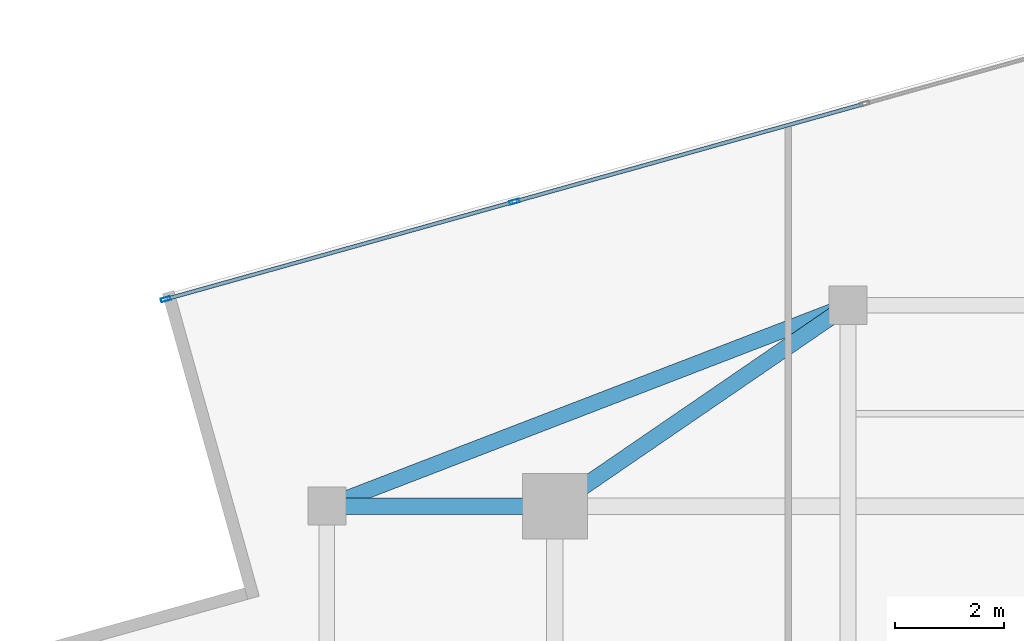
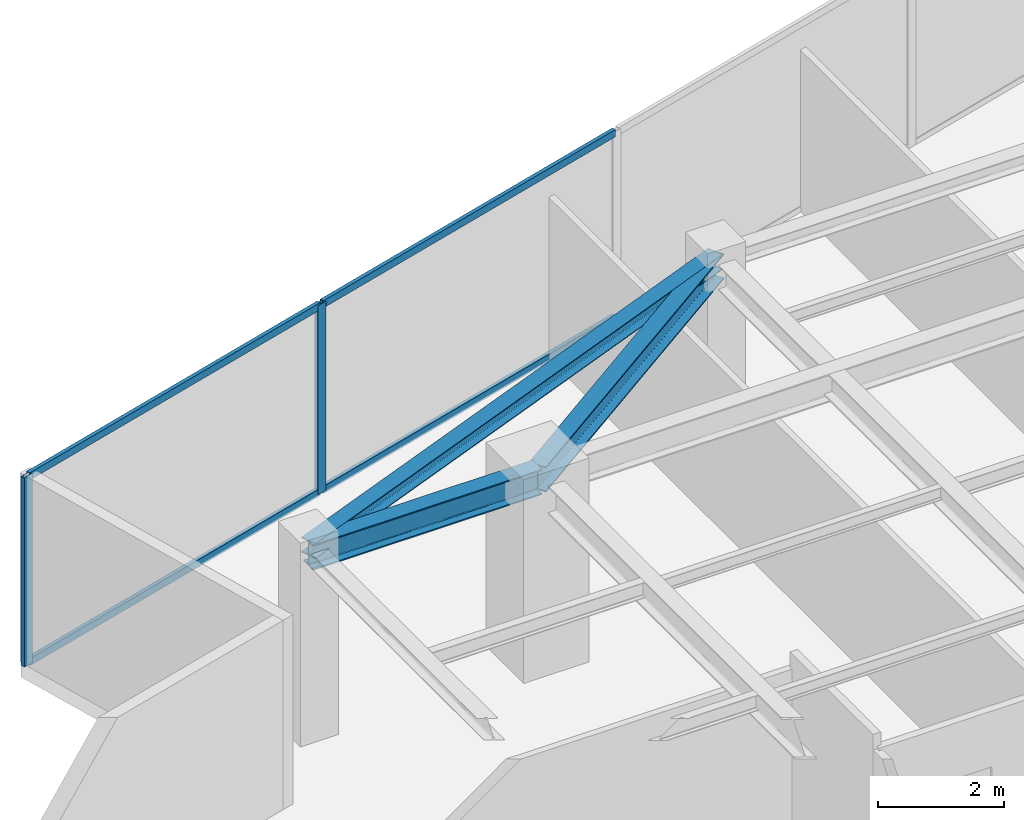
# One storey, part 12 of 20: 6 members, 3 beams, 1 element without a shape of its own.
"""IFC4 building model written with IfcOpenShell, lengths in metres."""

from ifc_helpers import new_model, si_unit, direction, frame, origin, origin_2d, place, context, subcontext, project, spatial, hollow_rectangle, i_section, extrude, source, transform, mapped, material, material_profile, profile_set, type_object, type_shapes, element, aggregate, save


model = new_model("IFC4")

# Units and contexts
model_context = context("Model", 3, precision=1e-05, world=origin(), true_north=direction((0.0, 1.0)))
body_context = subcontext(model_context, "Body", "Model", "MODEL_VIEW")
ifc_project = project(units=[si_unit("LENGTHUNIT", "METRE"), si_unit("AREAUNIT", "SQUARE_METRE"), si_unit("VOLUMEUNIT", "CUBIC_METRE"), si_unit("PLANEANGLEUNIT", "RADIAN"), si_unit("MASSUNIT", "GRAM", prefix="KILO")], contexts=[model_context])

# Site, building, storey
site_placement = place(None, origin())
site = spatial("IfcSite", under=ifc_project, at=site_placement, CompositionType="ELEMENT")
building_placement = place(site_placement, origin())
building = spatial("IfcBuilding", under=site, at=building_placement, Name="Krantzveldt Concourse Tower", CompositionType="ELEMENT")
storey_placement = place(building_placement, frame((0.0, 0.0, 351.39990234375)))
storey = spatial("IfcBuildingStorey", under=building, at=storey_placement, Name="L86", CompositionType="ELEMENT", Elevation=351.39990234375)

# Beams
ifc_material_1 = material(Name="Steel S355JR", Category="steel")
ifc_material_profile_1 = material_profile(ifc_material_1, i_section(OverallWidth=0.300048828125, OverallDepth=0.489990234375, WebThickness=0.011962890625, FlangeThickness=0.02294921875, FilletRadius=0.027099609375, at=origin_2d()), Name="Steel S355JR", Category="steel")
ifc_profile_set_1 = profile_set([ifc_material_profile_1], Name="Steel S355JR - HEA 500")
beam_type_1 = type_object("IfcBeamType", Name="BM-B-HEA500", PredefinedType="BEAM", material=ifc_profile_set_1)
shared_shape_1 = source(origin(), body_context, "Body", "SweptSolid", [
    extrude(i_section(OverallWidth=0.300048828125, OverallDepth=0.489990234375, WebThickness=0.011962890625, FlangeThickness=0.02294921875, FilletRadius=0.027099609375, at=origin_2d()), origin(), (0.0, 0.0, 1.0), 4.199951171875),
])
beam_1_placement = place(storey_placement, frame((21.0, 37.5, 3.425048828125), z_axis=(1.0, 0.0, 0.0), x_axis=(0.0, 1.0, 0.0)))
element("IfcBeam", 1, at=beam_1_placement, inside=storey, type_object=beam_type_1, Name="L86 Tower Girder BR-RL3", PredefinedType="BEAM", context=body_context, shape_type="MappedRepresentation", body=[
    mapped(shared_shape_1, transform((0.0, 0.0, 0.0), x_axis=(1.0, 0.0, 0.0), y_axis=(0.0, 1.0, 0.0), z_axis=(0.0, 0.0, 1.0), scale=1.0)),
])
shared_shape_2 = source(origin(), body_context, "Body", "SweptSolid", [
    extrude(i_section(OverallWidth=0.300048828125, OverallDepth=0.489990234375, WebThickness=0.011962890625, FlangeThickness=0.02294921875, FilletRadius=0.027099609375, at=origin_2d()), origin(), (0.0, 0.0, 1.0), 6.546142578125),
])
type_shapes(beam_type_1, [shared_shape_1, shared_shape_2])
beam_2_placement = place(storey_placement, frame((25.199951171875, 37.5, 3.425048828125), z_axis=(0.824942999484, 0.565215930068, 0.0), x_axis=(-0.565215930068, 0.824942999484, 0.0)))
element("IfcBeam", 2, at=beam_2_placement, inside=storey, type_object=beam_type_1, Name="L86 Tower Girder BR-RL4", PredefinedType="BEAM", context=body_context, shape_type="MappedRepresentation", body=[
    mapped(shared_shape_2, transform((0.0, 0.0, 0.0), x_axis=(1.0, 0.0, 0.0), y_axis=(0.0, 1.0, 0.0), z_axis=(0.0, 0.0, 1.0), scale=1.0)),
])
ifc_material_profile_2 = material_profile(ifc_material_1, i_section(OverallWidth=0.2900390625, OverallDepth=0.2900390625, WebThickness=0.008544921875, FlangeThickness=0.013916015625, FilletRadius=0.027099609375, at=origin_2d()), Name="Steel S355JR", Category="steel")
ifc_profile_set_2 = profile_set([ifc_material_profile_2], Name="Steel S355JR - HEA 300")
beam_type_2 = type_object("IfcBeamType", Name="BM-SP-HEA300", PredefinedType="SPANDREL", material=ifc_profile_set_2)
shared_shape_3 = source(origin(), body_context, "Body", "SweptSolid", [
    extrude(i_section(OverallWidth=0.2900390625, OverallDepth=0.2900390625, WebThickness=0.008544921875, FlangeThickness=0.013916015625, FilletRadius=0.027099609375, at=origin_2d()), origin(), (0.0, 0.0, 1.0), 10.288330078125),
])
type_shapes(beam_type_2, [shared_shape_3])
beam_3_placement = place(storey_placement, frame((21.0, 37.5, 3.525146484375), z_axis=(0.933097690408, 0.359622997257, 0.0), x_axis=(-0.359622997257, 0.933097690408, 0.0)))
element("IfcBeam", 3, at=beam_3_placement, inside=storey, type_object=beam_type_2, Name="L86 Tower Girder SP-R03", PredefinedType="SPANDREL", context=body_context, shape_type="MappedRepresentation", body=[
    mapped(shared_shape_3, transform((0.0, 0.0, 0.0), x_axis=(1.0, 0.0, 0.0), y_axis=(0.0, 1.0, 0.0), z_axis=(0.0, 0.0, 1.0), scale=1.0)),
])

# Curtain wall, members
ifc_material_2 = material(Name="Anodised aluminium 6063-T6", Category="aluminium")
curtain_wall_type = type_object("IfcCurtainWallType", Name="CW4", PredefinedType="USERDEFINED", material=ifc_material_2)
curtain_wall_placement = place(storey_placement, origin())
curtain_wall = element("IfcCurtainWall", 4, at=curtain_wall_placement, inside=storey, type_object=curtain_wall_type, Name="CW-L86-F01", ObjectType="UNITISED CURTAIN WALL", PredefinedType="USERDEFINED")
ifc_material_profile_3 = material_profile(ifc_material_2, hollow_rectangle(XDim=0.070068359375, YDim=0.179931640625, WallThickness=0.0048828125, at=origin_2d()), Name="Anodised aluminium 6063-T6", Category="aluminium")
ifc_profile_set_3 = profile_set([ifc_material_profile_3], Name="Anodised aluminium 6063-T6 - ALU-MULL 180x70x5")
member_type_1 = type_object("IfcMemberType", Name="CW-MUL-180", PredefinedType="MULLION", material=ifc_profile_set_3)
shared_shape_4 = source(origin(), body_context, "Body", "SweptSolid", [
    extrude(hollow_rectangle(XDim=0.070068359375, YDim=0.179931640625, WallThickness=0.0048828125, at=origin_2d()), origin(), (0.0, 0.0, 1.0), 3.670166015625),
])
type_shapes(member_type_1, [shared_shape_4])
member_1_placement = place(storey_placement, frame((24.454345703125, 43.106689453125, 0.0), z_axis=(0.0, 0.0, 1.0), x_axis=(0.269339931454, -0.963045170968, 0.0)))
member_1 = element("IfcMember", 5, at=member_1_placement, type_object=member_type_1, Name="CW-Z56 mullion 4", PredefinedType="MULLION", context=body_context, shape_type="MappedRepresentation", body=[
    mapped(shared_shape_4, transform((0.0, 0.0, 0.0), x_axis=(1.0, 0.0, 0.0), y_axis=(0.0, 1.0, 0.0), z_axis=(0.0, 0.0, 1.0), scale=1.0)),
])
member_2_placement = place(storey_placement, frame((18.03564453125, 41.3115234375, 0.0), z_axis=(0.0, 0.0, 1.0), x_axis=(0.269339931454, -0.963045170968, 0.0)))
member_2 = element("IfcMember", 6, at=member_2_placement, type_object=member_type_1, Name="CW-Z56 mullion 5", PredefinedType="MULLION", context=body_context, shape_type="MappedRepresentation", body=[
    mapped(shared_shape_4, transform((0.0, 0.0, 0.0), x_axis=(1.0, 0.0, 0.0), y_axis=(0.0, 1.0, 0.0), z_axis=(0.0, 0.0, 1.0), scale=1.0)),
])
ifc_material_profile_4 = material_profile(ifc_material_2, hollow_rectangle(XDim=0.070068359375, YDim=0.139892578125, WallThickness=0.0048828125, at=origin_2d()), Name="Anodised aluminium 6063-T6", Category="aluminium")
ifc_profile_set_4 = profile_set([ifc_material_profile_4], Name="Anodised aluminium 6063-T6 - ALU-TRAN 140x70x5")
member_type_2 = type_object("IfcMemberType", Name="CW-TRN-150", PredefinedType="USERDEFINED", material=ifc_profile_set_4)
shared_shape_5 = source(origin(), body_context, "Body", "SweptSolid", [
    extrude(hollow_rectangle(XDim=0.070068359375, YDim=0.139892578125, WallThickness=0.0048828125, at=origin_2d()), origin(), (0.0, 0.0, 1.0), 6.594970703125),
])
member_3_placement = place(storey_placement, frame((24.420654296875, 43.09716796875, 0.03515625), z_axis=(-0.963042794459, -0.269348428694, 0.0), x_axis=(0.269348428694, -0.963042794459, 0.0)))
member_3 = element("IfcMember", 7, at=member_3_placement, type_object=member_type_2, Name="CW-Z56 transom 4.1", ObjectType="TRANSOM", PredefinedType="USERDEFINED", context=body_context, shape_type="MappedRepresentation", body=[
    mapped(shared_shape_5, transform((0.0, 0.0, 0.0), x_axis=(1.0, 0.0, 0.0), y_axis=(0.0, 1.0, 0.0), z_axis=(0.0, 0.0, 1.0), scale=1.0)),
])
member_4_placement = place(storey_placement, frame((24.420654296875, 43.09716796875, 3.635009765625), z_axis=(-0.963042794459, -0.269348428694, 0.0), x_axis=(0.269348428694, -0.963042794459, 0.0)))
member_4 = element("IfcMember", 8, at=member_4_placement, type_object=member_type_2, Name="CW-Z56 transom 4.2", ObjectType="TRANSOM", PredefinedType="USERDEFINED", context=body_context, shape_type="MappedRepresentation", body=[
    mapped(shared_shape_5, transform((0.0, 0.0, 0.0), x_axis=(1.0, 0.0, 0.0), y_axis=(0.0, 1.0, 0.0), z_axis=(0.0, 0.0, 1.0), scale=1.0)),
])
shared_shape_6 = source(origin(), body_context, "Body", "SweptSolid", [
    extrude(hollow_rectangle(XDim=0.070068359375, YDim=0.139892578125, WallThickness=0.0048828125, at=origin_2d()), origin(), (0.0, 0.0, 1.0), 6.630126953125),
])
type_shapes(member_type_2, [shared_shape_5, shared_shape_6])
member_5_placement = place(storey_placement, frame((30.873046875, 44.90185546875, 0.03515625), z_axis=(-0.963038940254, -0.269362208846, 0.0), x_axis=(0.269362208846, -0.963038940254, 0.0)))
member_5 = element("IfcMember", 9, at=member_5_placement, type_object=member_type_2, Name="CW-Z56 transom 3.1", ObjectType="TRANSOM", PredefinedType="USERDEFINED", context=body_context, shape_type="MappedRepresentation", body=[
    mapped(shared_shape_6, transform((0.0, 0.0, 0.0), x_axis=(1.0, 0.0, 0.0), y_axis=(0.0, 1.0, 0.0), z_axis=(0.0, 0.0, 1.0), scale=1.0)),
])
member_6_placement = place(storey_placement, frame((30.873046875, 44.90185546875, 3.635009765625), z_axis=(-0.963038940254, -0.269362208846, 0.0), x_axis=(0.269362208846, -0.963038940254, 0.0)))
member_6 = element("IfcMember", 10, at=member_6_placement, type_object=member_type_2, Name="CW-Z56 transom 3.2", ObjectType="TRANSOM", PredefinedType="USERDEFINED", context=body_context, shape_type="MappedRepresentation", body=[
    mapped(shared_shape_6, transform((0.0, 0.0, 0.0), x_axis=(1.0, 0.0, 0.0), y_axis=(0.0, 1.0, 0.0), z_axis=(0.0, 0.0, 1.0), scale=1.0)),
])
aggregate(curtain_wall, [member_1, member_2, member_5, member_6, member_3, member_4])

save(model, "model.ifc")
